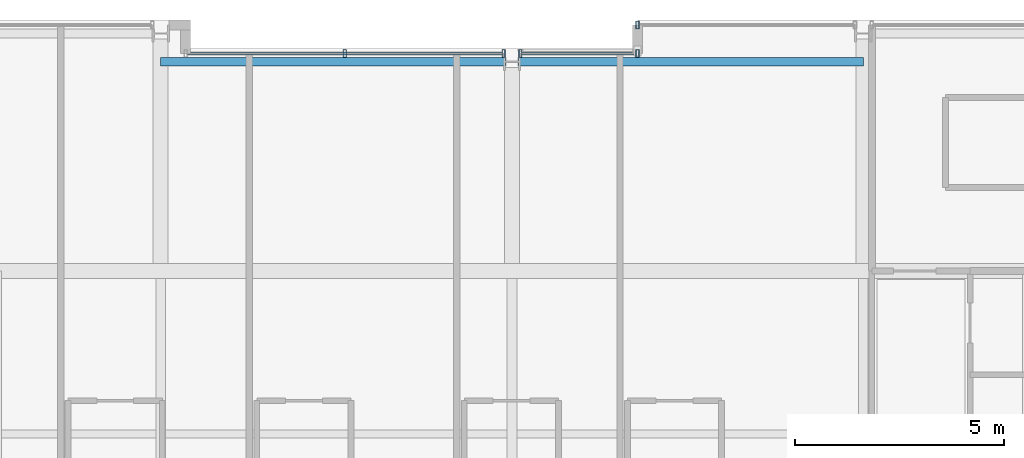
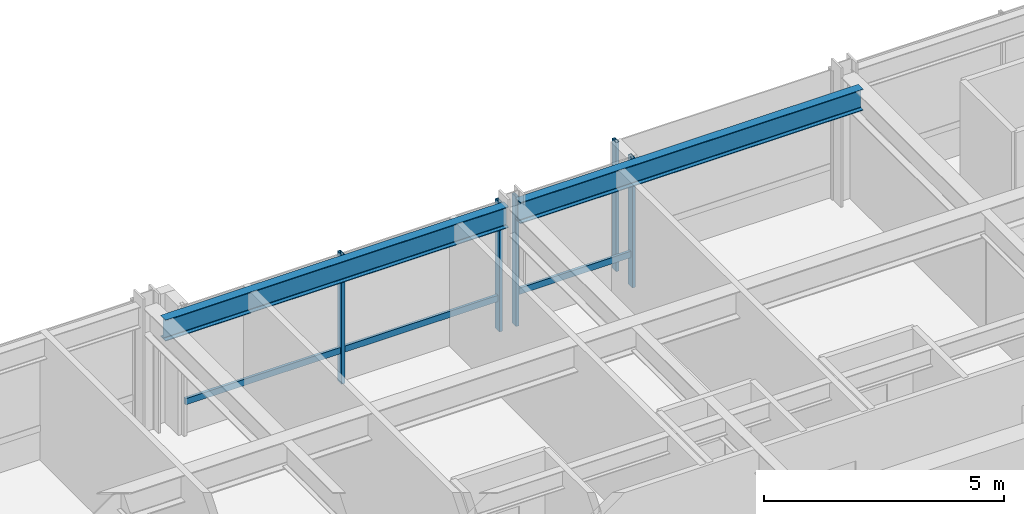
# One storey, part 21 of 33: 7 members, 2 beams, 3 elements without a shape of their own.
"""IFC4 building model written with IfcOpenShell, lengths in metres."""

from ifc_helpers import new_model, si_unit, direction, frame, origin, origin_2d, place, context, subcontext, project, spatial, hollow_rectangle, i_section, extrude, material, layer, layer_set, material_profile, profile_set, type_object, element, aggregate, save


model = new_model("IFC4")

# Units and contexts
model_context = context("Model", 3, precision=1e-05, world=origin(), true_north=direction((0.0, 1.0)))
body_context = subcontext(model_context, "Body", "Model", "MODEL_VIEW")
ifc_project = project(units=[si_unit("LENGTHUNIT", "METRE"), si_unit("AREAUNIT", "SQUARE_METRE"), si_unit("VOLUMEUNIT", "CUBIC_METRE"), si_unit("PLANEANGLEUNIT", "RADIAN"), si_unit("MASSUNIT", "GRAM", prefix="KILO")], contexts=[model_context])

# Site, building, storey
site_placement = place(None, origin())
site = spatial("IfcSite", under=ifc_project, at=site_placement, CompositionType="ELEMENT")
building_placement = place(site_placement, origin())
building = spatial("IfcBuilding", under=site, at=building_placement, Name="Drelvath Grand Hotel", CompositionType="ELEMENT")
storey_placement = place(building_placement, frame((0.0, 0.0, 153.949951171875)))
storey = spatial("IfcBuildingStorey", under=building, at=storey_placement, Name="L39", CompositionType="ELEMENT", Elevation=153.949951171875)

# Curtain wall, member
ifc_material_1 = material(Name="Brushed Pale-Silver Anodised Aluminium Frame", Category="aluminium")
ifc_layer = layer(ifc_material_1, 0.199951171875)
ifc_layer_set = layer_set([ifc_layer], Name="Brushed Pale-Silver Anodised Aluminium Frame")
curtain_wall_type = type_object("IfcCurtainWallType", Name="Stick Curtain Wall CW-04 Brushed Silver Upper-Mid", PredefinedType="NOTDEFINED", material=ifc_layer_set)
curtain_wall_1_placement = place(storey_placement, origin())
curtain_wall_1 = element("IfcCurtainWall", 1, at=curtain_wall_1_placement, inside=storey, type_object=curtain_wall_type, Name="L39 CW-04 Curtain Wall CW04-L39-NM1", PredefinedType="NOTDEFINED")
ifc_material_profile_1 = material_profile(ifc_material_1, hollow_rectangle(XDim=0.06494140625, YDim=0.159912109375, WallThickness=0.00390625, at=origin_2d()), Name="HSS160X65X4")
ifc_profile_set_1 = profile_set([ifc_material_profile_1], Name="Brushed Pale-Silver Anodised Aluminium Frame")
member_type_1 = type_object("IfcMemberType", Name="Curtain Wall Horizontal Transom CW-04 HSS160X65X4", PredefinedType="USERDEFINED", material=ifc_profile_set_1)
member_1_placement = place(storey_placement, frame((-7.760009765625, 48.39990234375, 0.822509765625), z_axis=(1.0, 0.0, 0.0), x_axis=(0.0, 1.0, 0.0)))
member_1 = element("IfcMember", 2, at=member_1_placement, type_object=member_type_1, Name="CW04-L39-NM1 Sill Transom", ObjectType="TRANSOM", PredefinedType="USERDEFINED", context=body_context, shape_type="SweptSolid", body=[
    extrude(hollow_rectangle(XDim=0.06494140625, YDim=0.159912109375, WallThickness=0.00390625, at=origin_2d()), origin(), (0.0, 0.0, 1.0), 7.52001953125),
])

curtain_wall_2_placement = place(storey_placement, origin())
curtain_wall_2 = element("IfcCurtainWall", 3, at=curtain_wall_2_placement, inside=storey, type_object=curtain_wall_type, Name="L39 CW-04 Curtain Wall CW04-L39-NM2", PredefinedType="NOTDEFINED")
member_2_placement = place(storey_placement, frame((0.239990234375, 48.39990234375, 0.822509765625), z_axis=(1.0, 0.0, 0.0), x_axis=(0.0, 1.0, 0.0)))
member_2 = element("IfcMember", 4, at=member_2_placement, type_object=member_type_1, Name="CW04-L39-NM2 Sill Transom", ObjectType="TRANSOM", PredefinedType="USERDEFINED", context=body_context, shape_type="SweptSolid", body=[
    extrude(hollow_rectangle(XDim=0.06494140625, YDim=0.159912109375, WallThickness=0.00390625, at=origin_2d()), origin(), (0.0, 0.0, 1.0), 2.719970703125),
])

# Member
ifc_material_profile_2 = material_profile(ifc_material_1, hollow_rectangle(XDim=0.074951171875, YDim=0.179931640625, WallThickness=0.0048828125, at=origin_2d()), Name="HSS180X75X5")
ifc_profile_set_2 = profile_set([ifc_material_profile_2], Name="Brushed Pale-Silver Anodised Aluminium Frame")
member_type_2 = type_object("IfcMemberType", Name="Curtain Wall Vertical Mullion CW-04 HSS180X75X5", PredefinedType="MULLION", material=ifc_profile_set_2)
member_3_placement = place(storey_placement, frame((-4.0, 48.39990234375, 0.0), z_axis=(0.0, 0.0, 1.0), x_axis=(1.0, 0.0, 0.0)))
member_3 = element("IfcMember", 5, at=member_3_placement, type_object=member_type_2, Name="CW04-L39-NM1 Mullion 2", PredefinedType="MULLION", context=body_context, shape_type="SweptSolid", body=[
    extrude(hollow_rectangle(XDim=0.074951171875, YDim=0.179931640625, WallThickness=0.0048828125, at=origin_2d()), origin(), (0.0, 0.0, 1.0), 3.2900390625),
])

member_4_placement = place(storey_placement, frame((-0.2001953125, 48.39990234375, 0.0), z_axis=(0.0, 0.0, 1.0), x_axis=(1.0, 0.0, 0.0)))
member_4 = element("IfcMember", 6, at=member_4_placement, type_object=member_type_2, Name="CW04-L39-NM1 Mullion 3", PredefinedType="MULLION", context=body_context, shape_type="SweptSolid", body=[
    extrude(hollow_rectangle(XDim=0.074951171875, YDim=0.179931640625, WallThickness=0.0048828125, at=origin_2d()), origin(), (0.0, 0.0, 1.0), 3.2900390625),
])

aggregate(curtain_wall_1, [member_3, member_4, member_1])

member_5_placement = place(storey_placement, frame((0.2001953125, 48.39990234375, 0.0), z_axis=(0.0, 0.0, 1.0), x_axis=(1.0, 0.0, 0.0)))
member_5 = element("IfcMember", 7, at=member_5_placement, type_object=member_type_2, Name="CW04-L39-NM2 Mullion 1", PredefinedType="MULLION", context=body_context, shape_type="SweptSolid", body=[
    extrude(hollow_rectangle(XDim=0.074951171875, YDim=0.179931640625, WallThickness=0.0048828125, at=origin_2d()), origin(), (0.0, 0.0, 1.0), 3.2900390625),
])

member_6_placement = place(storey_placement, frame((3.0, 48.39990234375, 0.0), z_axis=(0.0, 0.0, 1.0), x_axis=(1.0, 0.0, 0.0)))
member_6 = element("IfcMember", 8, at=member_6_placement, type_object=member_type_2, Name="CW04-L39-NM2 Mullion 2", PredefinedType="MULLION", context=body_context, shape_type="SweptSolid", body=[
    extrude(hollow_rectangle(XDim=0.074951171875, YDim=0.179931640625, WallThickness=0.0048828125, at=origin_2d()), origin(), (0.0, 0.0, 1.0), 3.2900390625),
])

aggregate(curtain_wall_2, [member_5, member_6, member_2])

# Curtain wall, member
curtain_wall_3_placement = place(storey_placement, origin())
curtain_wall_3 = element("IfcCurtainWall", 9, at=curtain_wall_3_placement, inside=storey, type_object=curtain_wall_type, Name="L39 CW-04 Curtain Wall CW04-L39-NE1", PredefinedType="NOTDEFINED")
member_7_placement = place(storey_placement, frame((3.0, 49.080078125, 0.0), z_axis=(0.0, 0.0, 1.0), x_axis=(1.0, 0.0, 0.0)))
member_7 = element("IfcMember", 10, at=member_7_placement, type_object=member_type_2, Name="CW04-L39-NE1 Mullion 1", PredefinedType="MULLION", context=body_context, shape_type="SweptSolid", body=[
    extrude(hollow_rectangle(XDim=0.074951171875, YDim=0.179931640625, WallThickness=0.0048828125, at=origin_2d()), origin(), (0.0, 0.0, 1.0), 3.2900390625),
])
aggregate(curtain_wall_3, [member_7])

# Beams
ifc_material_2 = material(Name="Steel ASTM A992 Gr 50", Category="steel")
ifc_material_profile_3 = material_profile(ifc_material_2, i_section(OverallWidth=0.210205078125, OverallDepth=0.53662109375, WebThickness=0.010986328125, FlangeThickness=0.017333984375, FilletRadius=0.01806640625, at=origin_2d()), Name="W21X68")
ifc_profile_set_3 = profile_set([ifc_material_profile_3], Name="Steel ASTM A992 Gr 50")
beam_type = type_object("IfcBeamType", Name="Perimeter Spandrel Beam W21X68", PredefinedType="SPANDREL", material=ifc_profile_set_3)
for number, where, z_axis, x_axis, name in (
    (11, (-8.39990234375, 48.199951171875, 3.021728515625), (1.0, 0.0, 0.0), (0.0, 1.0, 0.0), "L39 Spandrel North Mid W"),
    (12, (0.139892578125, 48.199951171875, 3.021728515625), (1.0, 0.0, 0.0), (0.0, 1.0, 0.0), "L39 Spandrel North Mid E"),
):
    element("IfcBeam", number, at=place(storey_placement, frame(where, z_axis=z_axis, x_axis=x_axis)), inside=storey, type_object=beam_type, Name=name, PredefinedType="SPANDREL", context=body_context, shape_type="SweptSolid", body=[
        extrude(i_section(OverallWidth=0.210205078125, OverallDepth=0.53662109375, WebThickness=0.010986328125, FlangeThickness=0.017333984375, FilletRadius=0.01806640625, at=origin_2d()), origin(), (0.0, 0.0, 1.0), 8.260009765625),
    ])

save(model, "model.ifc")
